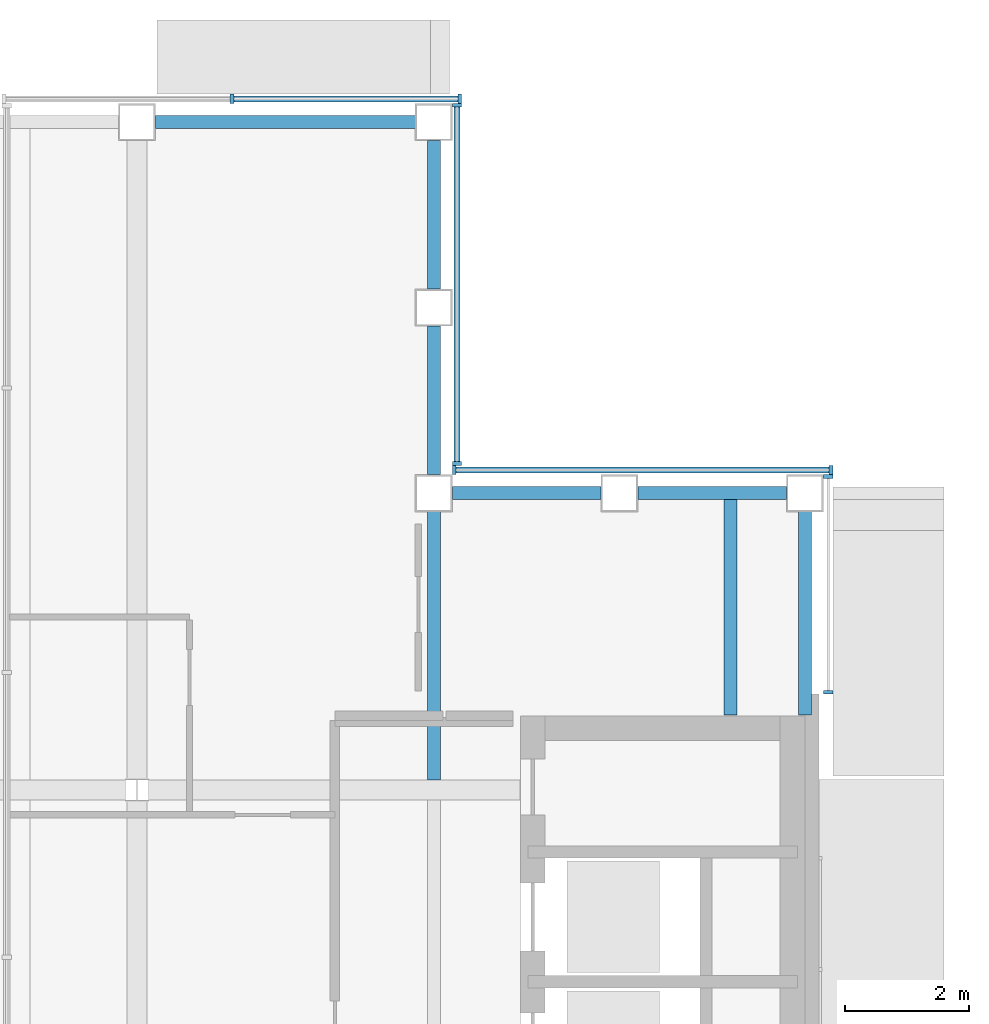
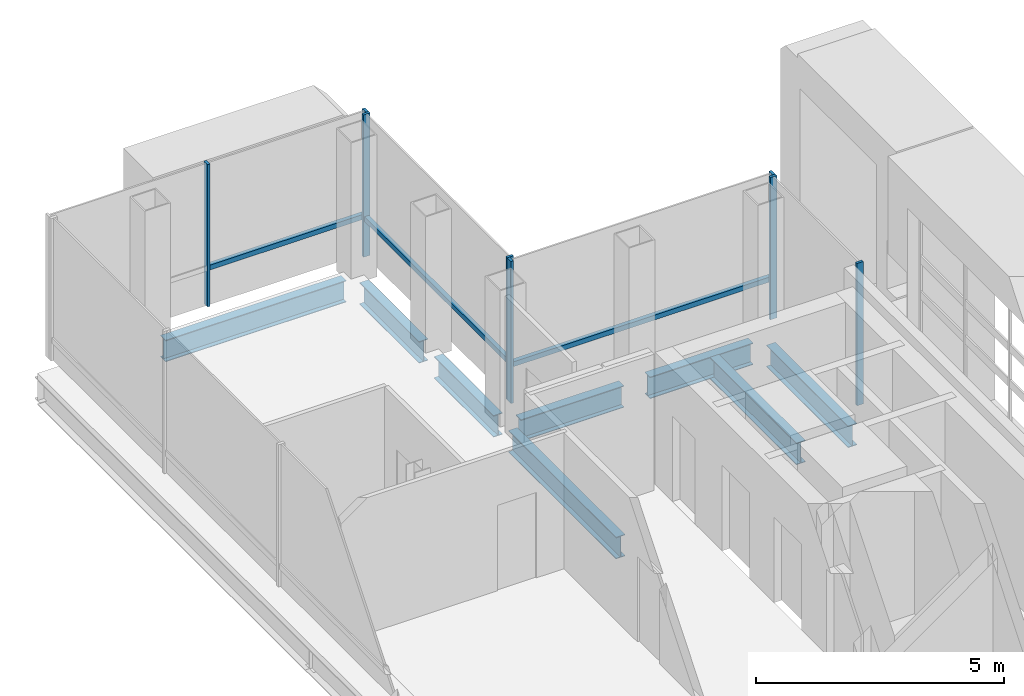
# One storey, part 8 of 21: 11 members, 8 beams, 4 elements without a shape of their own.
"""IFC4 building model written with IfcOpenShell, lengths in metres."""

from ifc_helpers import new_model, si_unit, direction, frame, origin, origin_2d, place, context, subcontext, project, spatial, rectangle, i_section, extrude, material, material_profile, profile_set, type_object, element, aggregate, save


model = new_model("IFC4")

# Units and contexts
model_context = context("Model", 3, precision=1e-05, world=origin(), true_north=direction((0.0, 1.0)))
body_context = subcontext(model_context, "Body", "Model", "MODEL_VIEW")
ifc_project = project(units=[si_unit("LENGTHUNIT", "METRE"), si_unit("AREAUNIT", "SQUARE_METRE"), si_unit("VOLUMEUNIT", "CUBIC_METRE"), si_unit("PLANEANGLEUNIT", "RADIAN"), si_unit("MASSUNIT", "GRAM", prefix="KILO")], contexts=[model_context])

# Site, building, storey
site_placement = place(None, origin())
site = spatial("IfcSite", under=ifc_project, at=site_placement, CompositionType="ELEMENT")
building_placement = place(site_placement, origin())
building = spatial("IfcBuilding", under=site, at=building_placement, Name="Cobrizo Arcos Hotel Tower", CompositionType="ELEMENT")
storey_placement = place(building_placement, frame((0.0, 0.0, 269.0)))
storey = spatial("IfcBuildingStorey", under=building, at=storey_placement, Name="L71", CompositionType="ELEMENT", Elevation=269.0)

# Curtain wall, members
ifc_material_1 = material(Name="Aluminium 6063-T6 anodised bronze", Category="aluminium")
curtain_wall_type = type_object("IfcCurtainWallType", Name="CW-A guest facade", PredefinedType="NOTDEFINED", material=ifc_material_1)
curtain_wall_1_placement = place(storey_placement, origin())
curtain_wall_1 = element("IfcCurtainWall", 1, at=curtain_wall_1_placement, inside=storey, type_object=curtain_wall_type, Name="CW-A L71 N face", PredefinedType="NOTDEFINED")
ifc_material_profile_1 = material_profile(ifc_material_1, rectangle(XDim=0.14990234375, YDim=0.06005859375, at=origin_2d()), Name="CW-A mullion 150x60")
ifc_profile_set_1 = profile_set([ifc_material_profile_1], Name="Aluminium 6063-T6 anodised bronze")
member_type_1 = type_object("IfcMemberType", Name="CW-A mullion 150x60", PredefinedType="MULLION", material=ifc_profile_set_1)
member_1_placement = place(storey_placement, frame((14.820068359375, 20.77490234375, 0.0), z_axis=(0.0, 0.0, 1.0), x_axis=(0.0, 1.0, 0.0)))
member_1 = element("IfcMember", 2, at=member_1_placement, type_object=member_type_1, Name="CW-A mullion 1", PredefinedType="MULLION", context=body_context, shape_type="SweptSolid", body=[
    extrude(rectangle(XDim=0.14990234375, YDim=0.06005859375, at=origin_2d()), origin(), (0.0, 0.0, 1.0), 3.5),
])
member_2_placement = place(storey_placement, frame((11.135986328125, 20.77490234375, 0.0), z_axis=(0.0, 0.0, 1.0), x_axis=(0.0, 1.0, 0.0)))
member_2 = element("IfcMember", 3, at=member_2_placement, type_object=member_type_1, Name="CW-A mullion 2", PredefinedType="MULLION", context=body_context, shape_type="SweptSolid", body=[
    extrude(rectangle(XDim=0.14990234375, YDim=0.06005859375, at=origin_2d()), origin(), (0.0, 0.0, 1.0), 3.5),
])

curtain_wall_2_placement = place(storey_placement, origin())
curtain_wall_2 = element("IfcCurtainWall", 4, at=curtain_wall_2_placement, inside=storey, type_object=curtain_wall_type, Name="CW-A L71 E face", PredefinedType="NOTDEFINED")
member_3_placement = place(storey_placement, frame((20.77490234375, 11.179931640625, 0.0), z_axis=(0.0, 0.0, 1.0), x_axis=(1.0, 0.0, 0.0)))
member_3 = element("IfcMember", 5, at=member_3_placement, type_object=member_type_1, Name="CW-A mullion 1", PredefinedType="MULLION", context=body_context, shape_type="SweptSolid", body=[
    extrude(rectangle(XDim=0.14990234375, YDim=0.06005859375, at=origin_2d()), origin(), (0.0, 0.0, 1.0), 3.5),
])
member_4_placement = place(storey_placement, frame((20.77490234375, 14.669921875, 0.0), z_axis=(0.0, 0.0, 1.0), x_axis=(1.0, 0.0, 0.0)))
member_4 = element("IfcMember", 6, at=member_4_placement, type_object=member_type_1, Name="CW-A mullion 2", PredefinedType="MULLION", context=body_context, shape_type="SweptSolid", body=[
    extrude(rectangle(XDim=0.14990234375, YDim=0.06005859375, at=origin_2d()), origin(), (0.0, 0.0, 1.0), 3.5),
])
aggregate(curtain_wall_2, [member_3, member_4])

curtain_wall_3_placement = place(storey_placement, origin())
curtain_wall_3 = element("IfcCurtainWall", 7, at=curtain_wall_3_placement, inside=storey, type_object=curtain_wall_type, Name="CW-A L71 N face", PredefinedType="NOTDEFINED")
member_5_placement = place(storey_placement, frame((20.820068359375, 14.77490234375, 0.0), z_axis=(0.0, 0.0, 1.0), x_axis=(0.0, 1.0, 0.0)))
member_5 = element("IfcMember", 8, at=member_5_placement, type_object=member_type_1, Name="CW-A mullion 1", PredefinedType="MULLION", context=body_context, shape_type="SweptSolid", body=[
    extrude(rectangle(XDim=0.14990234375, YDim=0.06005859375, at=origin_2d()), origin(), (0.0, 0.0, 1.0), 3.5),
])
member_6_placement = place(storey_placement, frame((14.72998046875, 14.77490234375, 0.0), z_axis=(0.0, 0.0, 1.0), x_axis=(0.0, 1.0, 0.0)))
member_6 = element("IfcMember", 9, at=member_6_placement, type_object=member_type_1, Name="CW-A mullion 2", PredefinedType="MULLION", context=body_context, shape_type="SweptSolid", body=[
    extrude(rectangle(XDim=0.14990234375, YDim=0.06005859375, at=origin_2d()), origin(), (0.0, 0.0, 1.0), 3.5),
])

curtain_wall_4_placement = place(storey_placement, origin())
curtain_wall_4 = element("IfcCurtainWall", 10, at=curtain_wall_4_placement, inside=storey, type_object=curtain_wall_type, Name="CW-A L71 E face", PredefinedType="NOTDEFINED")
member_7_placement = place(storey_placement, frame((14.77490234375, 14.8798828125, 0.0), z_axis=(0.0, 0.0, 1.0), x_axis=(1.0, 0.0, 0.0)))
member_7 = element("IfcMember", 11, at=member_7_placement, type_object=member_type_1, Name="CW-A mullion 1", PredefinedType="MULLION", context=body_context, shape_type="SweptSolid", body=[
    extrude(rectangle(XDim=0.14990234375, YDim=0.06005859375, at=origin_2d()), origin(), (0.0, 0.0, 1.0), 3.5),
])
member_8_placement = place(storey_placement, frame((14.77490234375, 20.669921875, 0.0), z_axis=(0.0, 0.0, 1.0), x_axis=(1.0, 0.0, 0.0)))
member_8 = element("IfcMember", 12, at=member_8_placement, type_object=member_type_1, Name="CW-A mullion 2", PredefinedType="MULLION", context=body_context, shape_type="SweptSolid", body=[
    extrude(rectangle(XDim=0.14990234375, YDim=0.06005859375, at=origin_2d()), origin(), (0.0, 0.0, 1.0), 3.5),
])

# Member
ifc_material_profile_2 = material_profile(ifc_material_1, rectangle(XDim=0.10009765625, YDim=0.1201171875, at=origin_2d()), Name="CW-A transom 120x100")
ifc_profile_set_2 = profile_set([ifc_material_profile_2], Name="Aluminium 6063-T6 anodised bronze")
member_type_2 = type_object("IfcMemberType", Name="CW-A transom 120x100", PredefinedType="USERDEFINED", material=ifc_profile_set_2)
member_9_placement = place(storey_placement, frame((14.7900390625, 20.77490234375, 0.929931640625), z_axis=(-1.0, 0.0, 0.0), x_axis=(0.0, -1.0, 0.0)))
member_9 = element("IfcMember", 13, at=member_9_placement, type_object=member_type_2, Name="CW-A transom 2218", ObjectType="TRANSOM", PredefinedType="USERDEFINED", context=body_context, shape_type="SweptSolid", body=[
    extrude(rectangle(XDim=0.10009765625, YDim=0.1201171875, at=origin_2d()), origin(), (0.0, 0.0, 1.0), 3.6240234375),
])

aggregate(curtain_wall_1, [member_1, member_2, member_9])

member_10_placement = place(storey_placement, frame((20.7900390625, 14.77490234375, 0.929931640625), z_axis=(-1.0, 0.0, 0.0), x_axis=(0.0, -1.0, 0.0)))
member_10 = element("IfcMember", 14, at=member_10_placement, type_object=member_type_2, Name="CW-A transom 2235", ObjectType="TRANSOM", PredefinedType="USERDEFINED", context=body_context, shape_type="SweptSolid", body=[
    extrude(rectangle(XDim=0.10009765625, YDim=0.1201171875, at=origin_2d()), origin(), (0.0, 0.0, 1.0), 6.030029296875),
])

aggregate(curtain_wall_3, [member_5, member_6, member_10])

member_11_placement = place(storey_placement, frame((14.77490234375, 14.909912109375, 0.929931640625), z_axis=(0.0, 1.0, 0.0), x_axis=(-1.0, 0.0, 0.0)))
member_11 = element("IfcMember", 15, at=member_11_placement, type_object=member_type_2, Name="CW-A transom 2236", ObjectType="TRANSOM", PredefinedType="USERDEFINED", context=body_context, shape_type="SweptSolid", body=[
    extrude(rectangle(XDim=0.10009765625, YDim=0.1201171875, at=origin_2d()), origin(), (0.0, 0.0, 1.0), 5.72998046875),
])

aggregate(curtain_wall_4, [member_7, member_8, member_11])

# Beams
ifc_material_2 = material(Name="Steel ASTM A992 Grade 50", Category="steel")
ifc_material_profile_3 = material_profile(ifc_material_2, i_section(OverallWidth=0.209228515625, OverallDepth=0.533447265625, WebThickness=0.01025390625, FlangeThickness=0.015625, at=origin_2d()), Name="W21X62")
ifc_profile_set_3 = profile_set([ifc_material_profile_3], Name="Steel ASTM A992 Grade 50")
beam_type_1 = type_object("IfcBeamType", Name="W21X62 joist", PredefinedType="JOIST", material=ifc_profile_set_3)
beam_1_placement = place(storey_placement, frame((14.39990234375, 9.763916015625, -0.416748046875), z_axis=(0.0, 1.0, 0.0), x_axis=(-1.0, 0.0, 0.0)))
element("IfcBeam", 16, at=beam_1_placement, inside=storey, type_object=beam_type_1, Name="Floor joist J1, L71, no. 010", PredefinedType="JOIST", context=body_context, shape_type="SweptSolid", body=[
    extrude(i_section(OverallWidth=0.209228515625, OverallDepth=0.533447265625, WebThickness=0.01025390625, FlangeThickness=0.015625, at=origin_2d()), origin(), (0.0, 0.0, 1.0), 4.336181640625),
])
beam_2_placement = place(storey_placement, frame((19.199951171875, 10.81005859375, -0.416748046875), z_axis=(0.0, 1.0, 0.0), x_axis=(-1.0, 0.0, 0.0)))
element("IfcBeam", 17, at=beam_2_placement, inside=storey, type_object=beam_type_1, Name="Floor joist J1, L71, no. 012", PredefinedType="JOIST", context=body_context, shape_type="SweptSolid", body=[
    extrude(i_section(OverallWidth=0.209228515625, OverallDepth=0.533447265625, WebThickness=0.01025390625, FlangeThickness=0.015625, at=origin_2d()), origin(), (0.0, 0.0, 1.0), 3.5),
])
ifc_material_profile_4 = material_profile(ifc_material_2, i_section(OverallWidth=0.209228515625, OverallDepth=0.533447265625, WebThickness=0.01025390625, FlangeThickness=0.015625, at=origin_2d()), Name="W21X62")
ifc_profile_set_4 = profile_set([ifc_material_profile_4], Name="Steel ASTM A992 Grade 50")
beam_type_2 = type_object("IfcBeamType", Name="W21X62 spandrel", PredefinedType="SPANDREL", material=ifc_profile_set_4)
beam_3_placement = place(storey_placement, frame((9.89990234375, 20.39990234375, -0.416748046875), z_axis=(1.0, 0.0, 0.0), x_axis=(0.0, 1.0, 0.0)))
element("IfcBeam", 18, at=beam_3_placement, inside=storey, type_object=beam_type_2, Name="Spandrel beam W21X62, L71, no. 016", PredefinedType="SPANDREL", context=body_context, shape_type="SweptSolid", body=[
    extrude(i_section(OverallWidth=0.209228515625, OverallDepth=0.533447265625, WebThickness=0.01025390625, FlangeThickness=0.015625, at=origin_2d()), origin(), (0.0, 0.0, 1.0), 4.2001953125),
])
for number, where, z_axis, x_axis, name in (
    (19, (14.39990234375, 20.10009765625, -0.416748046875), (0.0, -1.0, 0.0), (1.0, 0.0, 0.0), "Spandrel beam W21X62, L71, no. 017"),
    (20, (14.39990234375, 17.10009765625, -0.416748046875), (0.0, -1.0, 0.0), (1.0, 0.0, 0.0), "Spandrel beam W21X62, L71, no. 018"),
    (21, (14.699951171875, 14.39990234375, -0.416748046875), (1.0, 0.0, 0.0), (0.0, 1.0, 0.0), "Spandrel beam W21X62, L71, no. 019"),
    (22, (17.699951171875, 14.39990234375, -0.416748046875), (1.0, 0.0, 0.0), (0.0, 1.0, 0.0), "Spandrel beam W21X62, L71, no. 020"),
):
    element("IfcBeam", number, at=place(storey_placement, frame(where, z_axis=z_axis, x_axis=x_axis)), inside=storey, type_object=beam_type_2, Name=name, PredefinedType="SPANDREL", context=body_context, shape_type="SweptSolid", body=[
        extrude(i_section(OverallWidth=0.209228515625, OverallDepth=0.533447265625, WebThickness=0.01025390625, FlangeThickness=0.015625, at=origin_2d()), origin(), (0.0, 0.0, 1.0), 2.400146484375),
    ])
beam_4_placement = place(storey_placement, frame((20.39990234375, 14.10009765625, -0.416748046875), z_axis=(0.0, -1.0, 0.0), x_axis=(1.0, 0.0, 0.0)))
element("IfcBeam", 23, at=beam_4_placement, inside=storey, type_object=beam_type_2, Name="Spandrel beam W21X62, L71, no. 021", PredefinedType="SPANDREL", context=body_context, shape_type="SweptSolid", body=[
    extrude(i_section(OverallWidth=0.209228515625, OverallDepth=0.533447265625, WebThickness=0.01025390625, FlangeThickness=0.015625, at=origin_2d()), origin(), (0.0, 0.0, 1.0), 3.2900390625),
])

save(model, "model.ifc")
